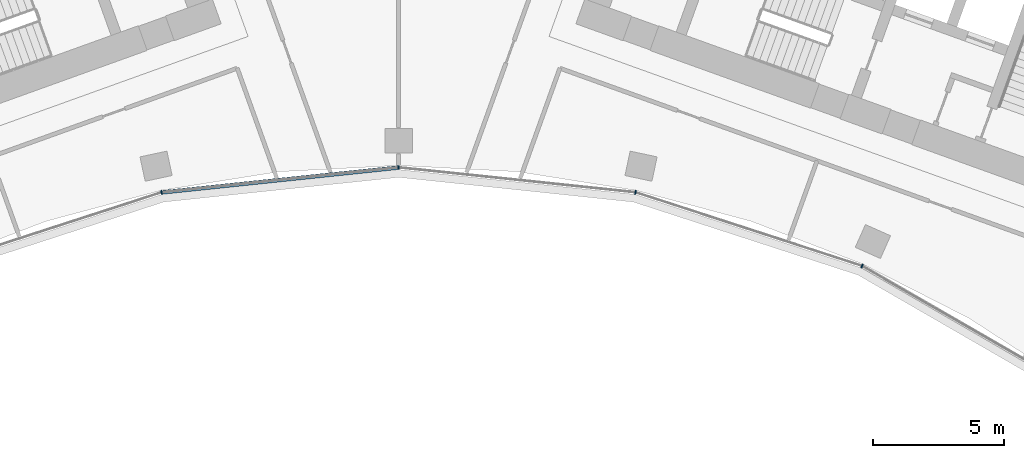
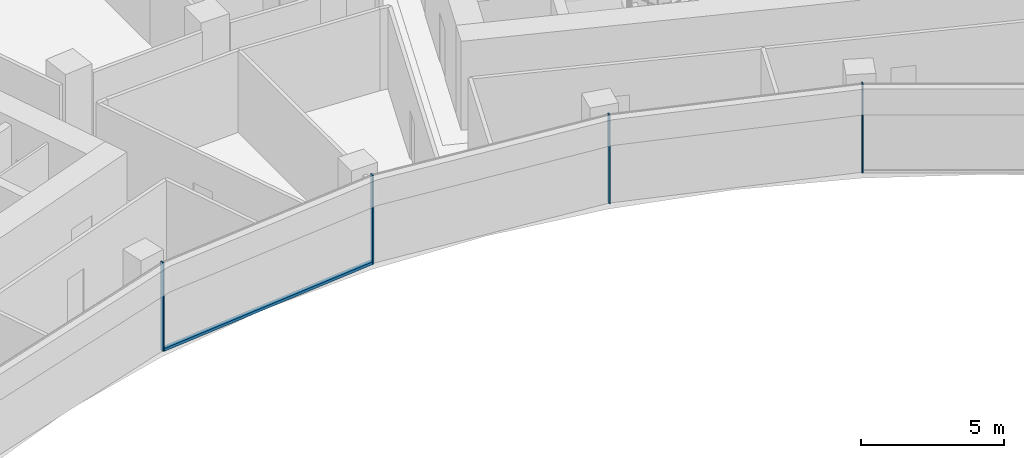
# One storey, part 4 of 18: 5 members, 1 element without a shape of its own.
"""IFC4 building model written with IfcOpenShell, lengths in metres."""

from ifc_helpers import new_model, si_unit, direction, frame, origin, origin_2d, place, context, subcontext, project, spatial, rectangle, extrude, material, layer, layer_set, material_profile, profile_set, type_object, element, aggregate, save


model = new_model("IFC4")

# Units and contexts
model_context = context("Model", 3, precision=1e-05, world=origin(), true_north=direction((0.0, 1.0)))
body_context = subcontext(model_context, "Body", "Model", "MODEL_VIEW")
ifc_project = project(units=[si_unit("LENGTHUNIT", "METRE"), si_unit("AREAUNIT", "SQUARE_METRE"), si_unit("VOLUMEUNIT", "CUBIC_METRE"), si_unit("PLANEANGLEUNIT", "RADIAN"), si_unit("MASSUNIT", "GRAM", prefix="KILO")], contexts=[model_context])

# Site, building, storey
site_placement = place(None, origin())
site = spatial("IfcSite", under=ifc_project, at=site_placement, CompositionType="ELEMENT")
building_placement = place(site_placement, origin())
building = spatial("IfcBuilding", under=site, at=building_placement, Name="Stone Belt Terrace Tower", CompositionType="ELEMENT")
storey_placement = place(building_placement, frame((0.0, 0.0, 220.0)))
storey = spatial("IfcBuildingStorey", under=building, at=storey_placement, Name="L53", CompositionType="ELEMENT", Elevation=220.0)

# Curtain wall, members
ifc_material = material(Name="Aluminium 6063-T6 anodised frame", Category="aluminium")
ifc_layer = layer(ifc_material, 0.14990234375)
ifc_layer_set = layer_set([ifc_layer], Name="CW-B unitised concave-face curtain wall")
curtain_wall_type = type_object("IfcCurtainWallType", Name="CW-B unitised concave-face curtain wall", PredefinedType="NOTDEFINED", material=ifc_layer_set)
curtain_wall_placement = place(storey_placement, origin())
curtain_wall = element("IfcCurtainWall", 1, at=curtain_wall_placement, inside=storey, type_object=curtain_wall_type, Name="CW-B concave face L53", PredefinedType="NOTDEFINED")
ifc_material_profile_1 = material_profile(ifc_material, rectangle(XDim=0.14990234375, YDim=0.050048828125, at=origin_2d()), Name="Aluminium 6063-T6 50x150")
ifc_profile_set_1 = profile_set([ifc_material_profile_1], Name="Aluminium 6063-T6 anodised frame")
member_type_1 = type_object("IfcMemberType", Name="CW-B mullion 50 x 150", PredefinedType="MULLION", material=ifc_profile_set_1)
member_1_placement = place(storey_placement, frame((-9.028564453125, 42.4755859375, 0.0), z_axis=(0.0, 0.0, 1.0), x_axis=(-0.207911690818, 0.978147600734, 0.0)))
member_1 = element("IfcMember", 2, at=member_1_placement, type_object=member_type_1, Name="CW-B mullion 4", PredefinedType="MULLION", context=body_context, shape_type="SweptSolid", body=[
    extrude(rectangle(XDim=0.14990234375, YDim=0.050048828125, at=origin_2d()), origin(), (0.0, 0.0, 1.0), 3.800048828125),
])
member_2_placement = place(storey_placement, frame((0.0, 43.424560546875, 0.0), z_axis=(0.0, 0.0, 1.0), x_axis=(0.0, 1.0, 0.0)))
member_2 = element("IfcMember", 3, at=member_2_placement, type_object=member_type_1, Name="CW-B mullion 5", PredefinedType="MULLION", context=body_context, shape_type="SweptSolid", body=[
    extrude(rectangle(XDim=0.14990234375, YDim=0.050048828125, at=origin_2d()), origin(), (0.0, 0.0, 1.0), 3.800048828125),
])
member_3_placement = place(storey_placement, frame((9.028564453125, 42.4755859375, 0.0), z_axis=(0.0, 0.0, 1.0), x_axis=(0.207911690818, 0.978147600734, 0.0)))
member_3 = element("IfcMember", 4, at=member_3_placement, type_object=member_type_1, Name="CW-B mullion 6", PredefinedType="MULLION", context=body_context, shape_type="SweptSolid", body=[
    extrude(rectangle(XDim=0.14990234375, YDim=0.050048828125, at=origin_2d()), origin(), (0.0, 0.0, 1.0), 3.800048828125),
])
member_4_placement = place(storey_placement, frame((17.662353515625, 39.67041015625, 0.0), z_axis=(0.0, 0.0, 1.0), x_axis=(0.406736643076, 0.913545457643, 0.0)))
member_4 = element("IfcMember", 5, at=member_4_placement, type_object=member_type_1, Name="CW-B mullion 7", PredefinedType="MULLION", context=body_context, shape_type="SweptSolid", body=[
    extrude(rectangle(XDim=0.14990234375, YDim=0.050048828125, at=origin_2d()), origin(), (0.0, 0.0, 1.0), 3.800048828125),
])
ifc_material_profile_2 = material_profile(ifc_material, rectangle(XDim=0.14990234375, YDim=0.1201171875, at=origin_2d()), Name="Aluminium 6063-T6 150x120")
ifc_profile_set_2 = profile_set([ifc_material_profile_2], Name="Aluminium 6063-T6 anodised frame")
member_type_2 = type_object("IfcMemberType", Name="CW-B transom 120 x 150", PredefinedType="USERDEFINED", material=ifc_profile_set_2)
member_5_placement = place(storey_placement, frame((-8.995849609375, 42.47900390625, 0.06005859375), z_axis=(0.994521323407, 0.104533904969, 0.0), x_axis=(-0.104533904969, 0.994521323407, 0.0)))
member_5 = element("IfcMember", 6, at=member_5_placement, type_object=member_type_2, Name="CW-B transom 4.1", ObjectType="TRANSOM", PredefinedType="USERDEFINED", context=body_context, shape_type="SweptSolid", body=[
    extrude(rectangle(XDim=0.14990234375, YDim=0.1201171875, at=origin_2d()), origin(), (0.0, 0.0, 1.0), 9.0126953125),
])
aggregate(curtain_wall, [member_1, member_2, member_3, member_4, member_5])

save(model, "model.ifc")
